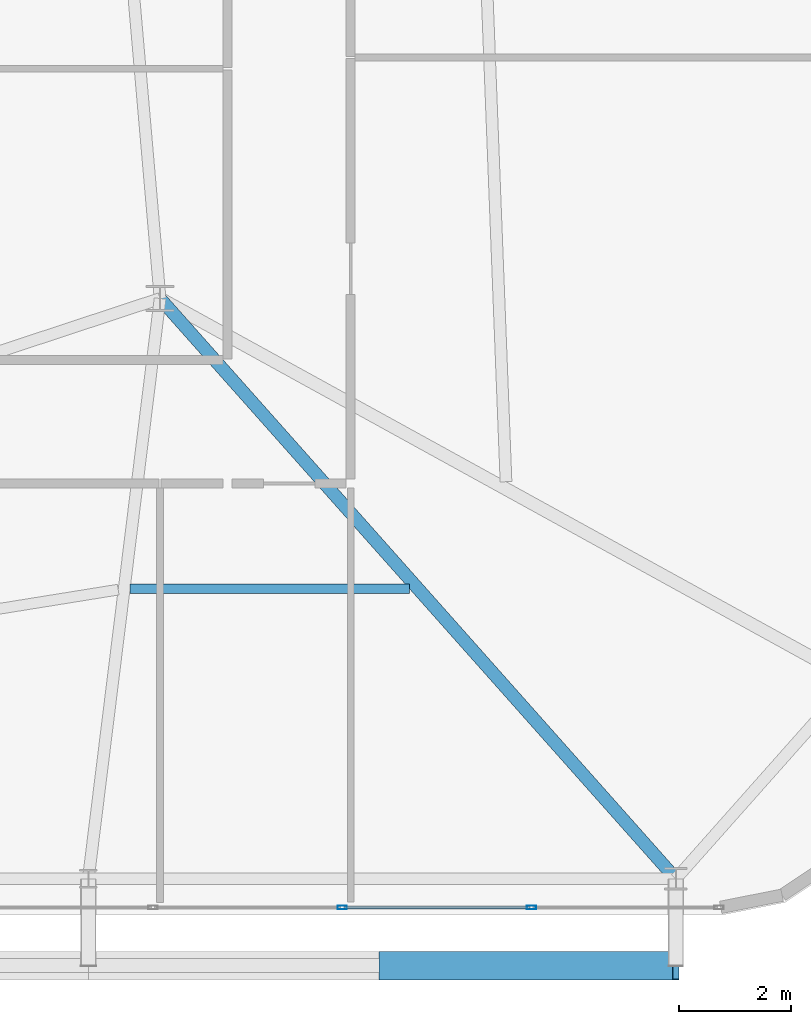
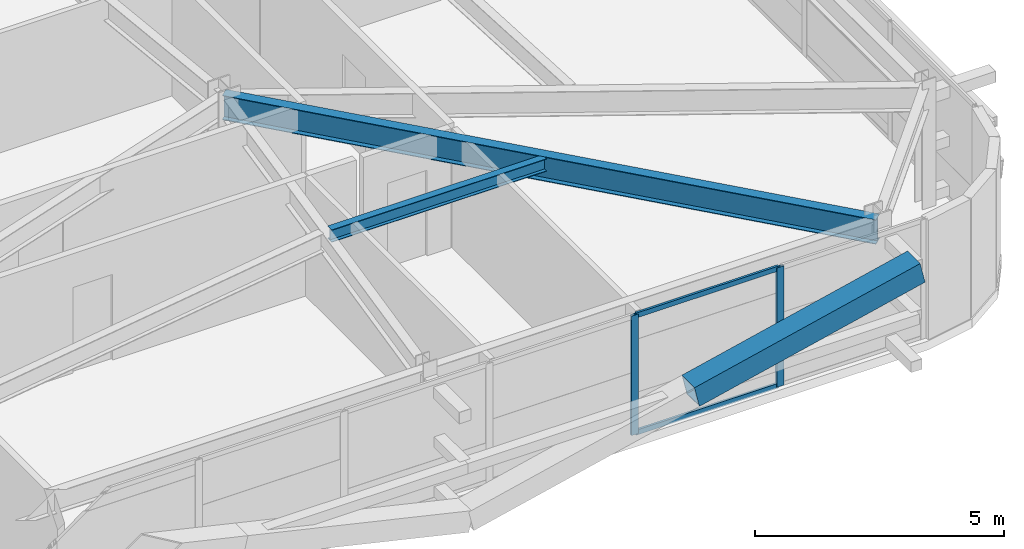
# One storey, part 23 of 59: 5 members, 2 beams, 1 element without a shape of its own.
"""IFC4 building model written with IfcOpenShell, lengths in metres."""

from ifc_helpers import new_model, si_unit, direction, frame, origin, origin_2d, place, context, subcontext, project, spatial, hollow_rectangle, i_section, extrude, source, transform, mapped, material, layer, layer_set, material_profile, profile_set, type_object, element, aggregate, save


model = new_model("IFC4")

# Units and contexts
model_context = context("Model", 3, precision=1e-05, world=origin(), true_north=direction((0.0, 1.0)))
body_context = subcontext(model_context, "Body", "Model", "MODEL_VIEW")
ifc_project = project(units=[si_unit("LENGTHUNIT", "METRE"), si_unit("AREAUNIT", "SQUARE_METRE"), si_unit("VOLUMEUNIT", "CUBIC_METRE"), si_unit("PLANEANGLEUNIT", "RADIAN"), si_unit("MASSUNIT", "GRAM", prefix="KILO")], contexts=[model_context])

# Site, building, storey
site_placement = place(None, origin())
site = spatial("IfcSite", under=ifc_project, at=site_placement, CompositionType="ELEMENT")
building_placement = place(site_placement, origin())
building = spatial("IfcBuilding", under=site, at=building_placement, Name="Taldren Reach Tower", CompositionType="ELEMENT")
storey_placement = place(building_placement, frame((0.0, 0.0, 48.300048828125)))
storey = spatial("IfcBuildingStorey", under=building, at=storey_placement, Name="L14", CompositionType="ELEMENT", Elevation=48.300048828125)

# Beams
ifc_material_1 = material(Name="Steel Gr 350 (350PLUS)", Category="steel")
ifc_material_profile_1 = material_profile(ifc_material_1, i_section(OverallWidth=0.22802734375, OverallDepth=0.60205078125, WebThickness=0.010498046875, FlangeThickness=0.014892578125, at=origin_2d()), Name="610UB101")
ifc_profile_set_1 = profile_set([ifc_material_profile_1], Name="Steel Gr 350 (350PLUS)")
beam_type_1 = type_object("IfcBeamType", Name="BM-UB610B", PredefinedType="BEAM", material=ifc_profile_set_1)
shared_shape_1 = source(origin(), body_context, "Body", "SweptSolid", [
    extrude(i_section(OverallWidth=0.22802734375, OverallDepth=0.60205078125, WebThickness=0.010498046875, FlangeThickness=0.014892578125, at=origin_2d()), origin(), (0.0, 0.0, 1.0), 13.847900390625),
])
beam_1_placement = place(storey_placement, frame((52.0, 12.5, 2.62890625), z_axis=(0.664358367375, -0.747414182164, 0.0), x_axis=(0.747414182164, 0.664358367375, 0.0)))
element("IfcBeam", 1, at=beam_1_placement, inside=storey, type_object=beam_type_1, Name="Primary floor girder B1-S6 L14", PredefinedType="BEAM", context=body_context, shape_type="MappedRepresentation", body=[
    mapped(shared_shape_1, transform((0.0, 0.0, 0.0), scale=1.0)),
])
ifc_material_2 = material(Name="Steel Gr 300 (300PLUS, 300 MPa)", Category="steel")
ifc_material_profile_2 = material_profile(ifc_material_2, i_section(OverallWidth=0.166015625, OverallDepth=0.306884765625, WebThickness=0.006591796875, FlangeThickness=0.01171875, at=origin_2d()), Name="310UB46.2")
ifc_profile_set_2 = profile_set([ifc_material_profile_2], Name="Steel Gr 300 (300PLUS, 300 MPa)")
beam_type_2 = type_object("IfcBeamType", Name="JS-UB310", PredefinedType="JOIST", material=ifc_profile_set_2)
shared_shape_2 = source(origin(), body_context, "Body", "SweptSolid", [
    extrude(i_section(OverallWidth=0.166015625, OverallDepth=0.306884765625, WebThickness=0.006591796875, FlangeThickness=0.01171875, at=origin_2d()), origin(), (0.0, 0.0, 1.0), 4.982177734375),
])
beam_2_placement = place(storey_placement, frame((51.46533203125, 7.324951171875, 2.7763671875), z_axis=(1.0, 0.0, 0.0), x_axis=(0.0, 1.0, 0.0)))
element("IfcBeam", 2, at=beam_2_placement, inside=storey, type_object=beam_type_2, Name="Secondary floor joist B1 J5 L14", PredefinedType="JOIST", context=body_context, shape_type="MappedRepresentation", body=[
    mapped(shared_shape_2, transform((0.0, 0.0, 0.0), scale=1.0)),
])

# Member
ifc_material_3 = material(Name="Steel Gr 450 (C450L0)", Category="steel")
ifc_material_profile_3 = material_profile(ifc_material_3, hollow_rectangle(XDim=0.510009765625, YDim=0.510009765625, WallThickness=0.02001953125, at=origin_2d()), Name="510x510x20.0SHS")
ifc_profile_set_3 = profile_set([ifc_material_profile_3], Name="Steel Gr 450 (C450L0)")
member_type_1 = type_object("IfcMemberType", Name="MB-EXO508", PredefinedType="BRACE", material=ifc_profile_set_3)
shared_shape_3 = source(origin(), body_context, "Body", "SweptSolid", [
    extrude(hollow_rectangle(XDim=0.510009765625, YDim=0.510009765625, WallThickness=0.02001953125, at=origin_2d()), origin(), (0.0, 0.0, 1.0), 5.37890625),
])
member_1_placement = place(storey_placement, frame((55.9599609375, 0.60009765625, 1.43505859375), z_axis=(0.974161966843, 0.0, 0.225850531007), x_axis=(0.0, 1.0, 0.0)))
element("IfcMember", 3, at=member_1_placement, inside=storey, type_object=member_type_1, Name="Exoskeleton Diagrid Brace B1-S5 L14", PredefinedType="BRACE", context=body_context, shape_type="MappedRepresentation", body=[
    mapped(shared_shape_3, transform((0.0, 0.0, 0.0), scale=1.0)),
])

# Curtain wall, members
ifc_material_4 = material(Name="Aluminium and Low-E Glass Unitised System", Category="aluminium")
ifc_layer = layer(ifc_material_4, 0.159912109375)
ifc_layer_set = layer_set([ifc_layer], Name="Aluminium and Low-E Glass Unitised System")
curtain_wall_type = type_object("IfcCurtainWallType", Name="CW-SYS-2", PredefinedType="NOTDEFINED", material=ifc_layer_set)
curtain_wall_placement = place(storey_placement, origin())
curtain_wall = element("IfcCurtainWall", 4, at=curtain_wall_placement, inside=storey, type_object=curtain_wall_type, Name="Unitised curtain wall CW-L14-S", PredefinedType="NOTDEFINED")
ifc_material_5 = material(Name="Anodised Aluminium 6063-T6", Category="aluminium")
ifc_material_profile_4 = material_profile(ifc_material_5, hollow_rectangle(XDim=0.06494140625, YDim=0.1650390625, WallThickness=0.00390625, at=origin_2d()), Name="ALU-165x65x4RHS")
ifc_profile_set_4 = profile_set([ifc_material_profile_4], Name="Anodised Aluminium 6063-T6")
member_type_2 = type_object("IfcMemberType", Name="CW-MUL-165", PredefinedType="MULLION", material=ifc_profile_set_4)
shared_shape_4 = source(origin(), body_context, "Body", "SweptSolid", [
    extrude(hollow_rectangle(XDim=0.06494140625, YDim=0.1650390625, WallThickness=0.00390625, at=origin_2d()), origin(), (0.0, 0.0, 1.0), 2.929931640625),
])
member_2_placement = place(storey_placement, frame((55.25, 1.639892578125, 0.0), z_axis=(0.0, 0.0, 1.0), x_axis=(0.0, 1.0, 0.0)))
member_2 = element("IfcMember", 5, at=member_2_placement, type_object=member_type_2, Name="CW-2 mullion 15", PredefinedType="MULLION", context=body_context, shape_type="MappedRepresentation", body=[
    mapped(shared_shape_4, transform((0.0, 0.0, 0.0), scale=1.0)),
])
member_3_placement = place(storey_placement, frame((58.625, 1.639892578125, 0.0), z_axis=(0.0, 0.0, 1.0), x_axis=(0.0, 1.0, 0.0)))
member_3 = element("IfcMember", 6, at=member_3_placement, type_object=member_type_2, Name="CW-2 mullion 16", PredefinedType="MULLION", context=body_context, shape_type="MappedRepresentation", body=[
    mapped(shared_shape_4, transform((0.0, 0.0, 0.0), scale=1.0)),
])
ifc_material_profile_5 = material_profile(ifc_material_5, hollow_rectangle(XDim=0.054931640625, YDim=0.1201171875, WallThickness=0.0029296875, at=origin_2d()), Name="ALU-120x55x3RHS")
ifc_profile_set_5 = profile_set([ifc_material_profile_5], Name="Anodised Aluminium 6063-T6")
member_type_3 = type_object("IfcMemberType", Name="CW-TRN-135", PredefinedType="USERDEFINED", material=ifc_profile_set_5)
shared_shape_5 = source(origin(), body_context, "Body", "SweptSolid", [
    extrude(hollow_rectangle(XDim=0.054931640625, YDim=0.1201171875, WallThickness=0.0029296875, at=origin_2d()), origin(), (0.0, 0.0, 1.0), 3.31005859375),
])
member_4_placement = place(storey_placement, frame((55.282470703125, 1.639892578125, 0.02734375), z_axis=(1.0, 0.0, 0.0), x_axis=(0.0, 1.0, 0.0)))
member_4 = element("IfcMember", 7, at=member_4_placement, type_object=member_type_3, Name="CW-2 transom 15.1", ObjectType="TRANSOM", PredefinedType="USERDEFINED", context=body_context, shape_type="MappedRepresentation", body=[
    mapped(shared_shape_5, transform((0.0, 0.0, 0.0), scale=1.0)),
])
member_5_placement = place(storey_placement, frame((55.282470703125, 1.639892578125, 2.90234375), z_axis=(1.0, 0.0, 0.0), x_axis=(0.0, 1.0, 0.0)))
member_5 = element("IfcMember", 8, at=member_5_placement, type_object=member_type_3, Name="CW-2 transom 15.2", ObjectType="TRANSOM", PredefinedType="USERDEFINED", context=body_context, shape_type="MappedRepresentation", body=[
    mapped(shared_shape_5, transform((0.0, 0.0, 0.0), scale=1.0)),
])
aggregate(curtain_wall, [member_2, member_3, member_4, member_5])

save(model, "model.ifc")
